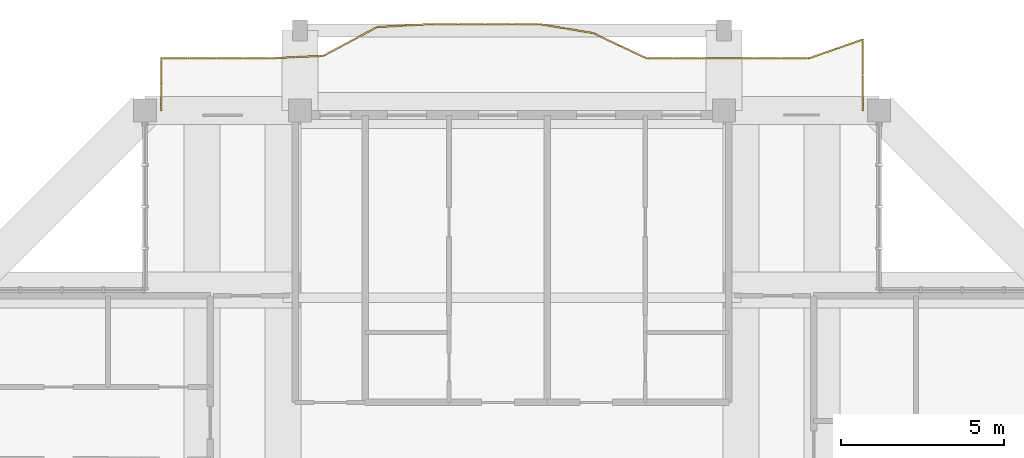
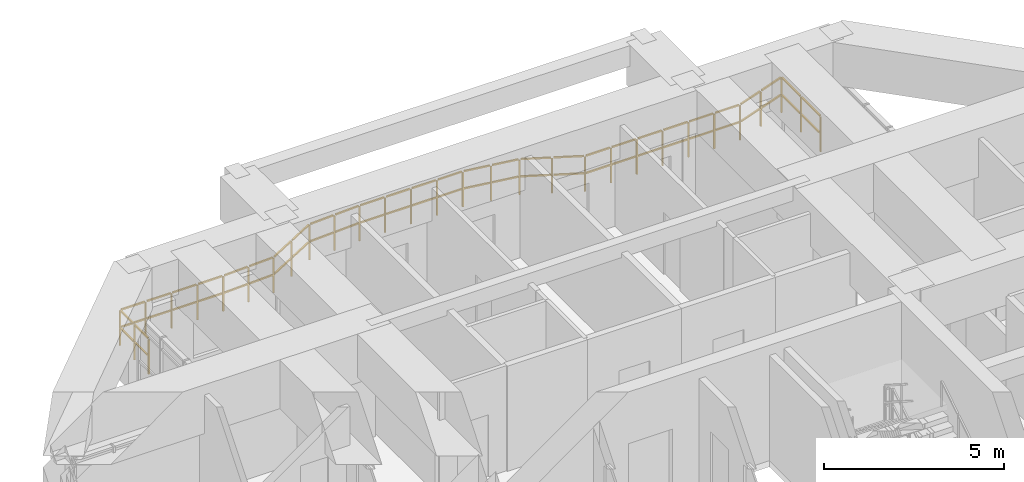
# One storey, part 27 of 27: 1 railing.
"""IFC4 building model written with IfcOpenShell, lengths in metres."""

from ifc_helpers import new_model, si_unit, direction, frame, origin, origin_2d, place, context, subcontext, project, spatial, rectangle, extrude, material, type_object, element, save


model = new_model("IFC4")

# Units and contexts
model_context = context("Model", 3, precision=1e-05, world=origin(), true_north=direction((0.0, 1.0)))
body_context = subcontext(model_context, "Body", "Model", "MODEL_VIEW")
ifc_project = project(units=[si_unit("LENGTHUNIT", "METRE"), si_unit("AREAUNIT", "SQUARE_METRE"), si_unit("VOLUMEUNIT", "CUBIC_METRE"), si_unit("PLANEANGLEUNIT", "RADIAN"), si_unit("MASSUNIT", "GRAM", prefix="KILO")], contexts=[model_context])

# Site, building, storey
site_placement = place(None, origin())
site = spatial("IfcSite", under=ifc_project, at=site_placement, CompositionType="ELEMENT")
building_placement = place(site_placement, origin())
building = spatial("IfcBuilding", under=site, at=building_placement, Name="Saelheon Loggia Tower", CompositionType="ELEMENT")
storey_placement = place(building_placement, frame((0.0, 0.0, 236.10009765625)))
storey = spatial("IfcBuildingStorey", under=building, at=storey_placement, Name="L73", CompositionType="ELEMENT", Elevation=236.10009765625)

# Railing
ifc_material = material(Name="Architectural Precast Concrete and Laminated Glass Guard", Category="concrete")
railing_type = type_object("IfcRailingType", Name="Guard_Loggia_RL_LOG", PredefinedType="BALUSTRADE", material=ifc_material)
railing_placement = place(storey_placement, frame((48.75, 48.0, 0.0)))
element("IfcRailing", 1, at=railing_placement, inside=storey, type_object=railing_type, Name="L73 North Loggia Balustrade", PredefinedType="BALUSTRADE", context=body_context, shape_type="SweptSolid", body=[
    extrude(rectangle(XDim=0.048095703125, YDim=0.048095703125, at=origin_2d()), frame((0.0, 0.033203125, 1.19580078125), z_axis=(0.0, 1.0, 0.0), x_axis=(-1.0, 0.0, 0.0)), (0.0, 0.0, 1.0), 1.022216796875),
    extrude(rectangle(XDim=0.048095703125, YDim=0.048095703125, at=origin_2d()), frame((0.0, 0.033203125, 0.60986328125), z_axis=(0.0, 1.0, 0.0), x_axis=(-1.0, 0.0, 0.0)), (0.0, 0.0, 1.0), 1.022216796875),
    extrude(rectangle(XDim=0.048095703125, YDim=0.048095703125, at=origin_2d()), frame((0.0, 1.121826171875, 1.19580078125), z_axis=(0.0, 1.0, 0.0), x_axis=(-1.0, 0.0, 0.0)), (0.0, 0.0, 1.0), 1.022216796875),
    extrude(rectangle(XDim=0.048095703125, YDim=0.048095703125, at=origin_2d()), frame((0.0, 1.121826171875, 0.60986328125), z_axis=(0.0, 1.0, 0.0), x_axis=(-1.0, 0.0, 0.0)), (0.0, 0.0, 1.0), 1.022216796875),
    extrude(rectangle(XDim=0.048095703125, YDim=0.048095703125, at=origin_2d()), frame((-0.031494140625, 2.166259765625, 1.19580078125), z_axis=(-0.944157835561, -0.329493522773, 0.0), x_axis=(0.329493522773, -0.944157835561, 0.0)), (0.0, 0.0, 1.0), 0.809326171875),
    extrude(rectangle(XDim=0.048095703125, YDim=0.048095703125, at=origin_2d()), frame((-0.031494140625, 2.166259765625, 0.60986328125), z_axis=(-0.944157835561, -0.329493522773, 0.0), x_axis=(0.329493522773, -0.944157835561, 0.0)), (0.0, 0.0, 1.0), 0.809326171875),
    extrude(rectangle(XDim=0.048095703125, YDim=0.048095703125, at=origin_2d()), frame((-0.8583984375, 1.877685546875, 1.19580078125), z_axis=(-0.944157835561, -0.329493522773, 0.0), x_axis=(0.329493522773, -0.944157835561, 0.0)), (0.0, 0.0, 1.0), 0.809326171875),
    extrude(rectangle(XDim=0.048095703125, YDim=0.048095703125, at=origin_2d()), frame((-0.8583984375, 1.877685546875, 0.60986328125), z_axis=(-0.944157835561, -0.329493522773, 0.0), x_axis=(0.329493522773, -0.944157835561, 0.0)), (0.0, 0.0, 1.0), 0.809326171875),
    extrude(rectangle(XDim=0.048095703125, YDim=0.048095703125, at=origin_2d()), frame((-1.68701171875, 1.60009765625, 1.19580078125), z_axis=(-1.0, 0.0, 0.0), x_axis=(0.0, -1.0, 0.0)), (0.0, 0.0, 1.0), 0.760498046875),
    extrude(rectangle(XDim=0.048095703125, YDim=0.048095703125, at=origin_2d()), frame((-1.68701171875, 1.60009765625, 0.60986328125), z_axis=(-1.0, 0.0, 0.0), x_axis=(0.0, -1.0, 0.0)), (0.0, 0.0, 1.0), 0.760498046875),
    extrude(rectangle(XDim=0.048095703125, YDim=0.048095703125, at=origin_2d()), frame((-2.513916015625, 1.60009765625, 1.19580078125), z_axis=(-1.0, 0.0, 0.0), x_axis=(0.0, -1.0, 0.0)), (0.0, 0.0, 1.0), 0.760498046875),
    extrude(rectangle(XDim=0.048095703125, YDim=0.048095703125, at=origin_2d()), frame((-2.513916015625, 1.60009765625, 0.60986328125), z_axis=(-1.0, 0.0, 0.0), x_axis=(0.0, -1.0, 0.0)), (0.0, 0.0, 1.0), 0.760498046875),
    extrude(rectangle(XDim=0.048095703125, YDim=0.048095703125, at=origin_2d()), frame((-3.3408203125, 1.60009765625, 1.19580078125), z_axis=(-1.0, 0.0, 0.0), x_axis=(0.0, -1.0, 0.0)), (0.0, 0.0, 1.0), 0.760498046875),
    extrude(rectangle(XDim=0.048095703125, YDim=0.048095703125, at=origin_2d()), frame((-3.3408203125, 1.60009765625, 0.60986328125), z_axis=(-1.0, 0.0, 0.0), x_axis=(0.0, -1.0, 0.0)), (0.0, 0.0, 1.0), 0.760498046875),
    extrude(rectangle(XDim=0.048095703125, YDim=0.048095703125, at=origin_2d()), frame((-4.167724609375, 1.60009765625, 1.19580078125), z_axis=(-1.0, 0.0, 0.0), x_axis=(0.0, -1.0, 0.0)), (0.0, 0.0, 1.0), 0.760498046875),
    extrude(rectangle(XDim=0.048095703125, YDim=0.048095703125, at=origin_2d()), frame((-4.167724609375, 1.60009765625, 0.60986328125), z_axis=(-1.0, 0.0, 0.0), x_axis=(0.0, -1.0, 0.0)), (0.0, 0.0, 1.0), 0.760498046875),
    extrude(rectangle(XDim=0.048095703125, YDim=0.048095703125, at=origin_2d()), frame((-4.99462890625, 1.60009765625, 1.19580078125), z_axis=(-1.0, 0.0, 0.0), x_axis=(0.0, -1.0, 0.0)), (0.0, 0.0, 1.0), 0.760498046875),
    extrude(rectangle(XDim=0.048095703125, YDim=0.048095703125, at=origin_2d()), frame((-4.99462890625, 1.60009765625, 0.60986328125), z_axis=(-1.0, 0.0, 0.0), x_axis=(0.0, -1.0, 0.0)), (0.0, 0.0, 1.0), 0.760498046875),
    extrude(rectangle(XDim=0.048095703125, YDim=0.048095703125, at=origin_2d()), frame((-5.82177734375, 1.60009765625, 1.19580078125), z_axis=(-1.0, 0.0, 0.0), x_axis=(0.0, -1.0, 0.0)), (0.0, 0.0, 1.0), 0.760498046875),
    extrude(rectangle(XDim=0.048095703125, YDim=0.048095703125, at=origin_2d()), frame((-5.82177734375, 1.60009765625, 0.60986328125), z_axis=(-1.0, 0.0, 0.0), x_axis=(0.0, -1.0, 0.0)), (0.0, 0.0, 1.0), 0.760498046875),
    extrude(rectangle(XDim=0.048095703125, YDim=0.048095703125, at=origin_2d()), frame((-6.6455078125, 1.6142578125, 1.19580078125), z_axis=(-0.905115238817, 0.425166325644, 0.0), x_axis=(-0.425166325644, -0.905115238817, 0.0)), (0.0, 0.0, 1.0), 0.84716796875),
    extrude(rectangle(XDim=0.048095703125, YDim=0.048095703125, at=origin_2d()), frame((-6.6455078125, 1.6142578125, 0.60986328125), z_axis=(-0.905115238817, 0.425166325644, 0.0), x_axis=(-0.425166325644, -0.905115238817, 0.0)), (0.0, 0.0, 1.0), 0.84716796875),
    extrude(rectangle(XDim=0.048095703125, YDim=0.048095703125, at=origin_2d()), frame((-7.472412109375, 2.002685546875, 1.19580078125), z_axis=(-0.905115238817, 0.425166325644, 0.0), x_axis=(-0.425166325644, -0.905115238817, 0.0)), (0.0, 0.0, 1.0), 0.84716796875),
    extrude(rectangle(XDim=0.048095703125, YDim=0.048095703125, at=origin_2d()), frame((-7.472412109375, 2.002685546875, 0.60986328125), z_axis=(-0.905115238817, 0.425166325644, 0.0), x_axis=(-0.425166325644, -0.905115238817, 0.0)), (0.0, 0.0, 1.0), 0.84716796875),
    extrude(rectangle(XDim=0.048095703125, YDim=0.048095703125, at=origin_2d()), frame((-8.302001953125, 2.38232421875, 1.19580078125), z_axis=(-0.986652505237, 0.162839902695, 0.0), x_axis=(-0.162839902695, -0.986652505237, 0.0)), (0.0, 0.0, 1.0), 0.771728515625),
    extrude(rectangle(XDim=0.048095703125, YDim=0.048095703125, at=origin_2d()), frame((-8.302001953125, 2.38232421875, 0.60986328125), z_axis=(-0.986652505237, 0.162839902695, 0.0), x_axis=(-0.162839902695, -0.986652505237, 0.0)), (0.0, 0.0, 1.0), 0.771728515625),
    extrude(rectangle(XDim=0.048095703125, YDim=0.048095703125, at=origin_2d()), frame((-9.12890625, 2.518798828125, 1.19580078125), z_axis=(-0.986652505237, 0.162839902695, 0.0), x_axis=(-0.162839902695, -0.986652505237, 0.0)), (0.0, 0.0, 1.0), 0.771728515625),
    extrude(rectangle(XDim=0.048095703125, YDim=0.048095703125, at=origin_2d()), frame((-9.12890625, 2.518798828125, 0.60986328125), z_axis=(-0.986652505237, 0.162839902695, 0.0), x_axis=(-0.162839902695, -0.986652505237, 0.0)), (0.0, 0.0, 1.0), 0.771728515625),
    extrude(rectangle(XDim=0.048095703125, YDim=0.048095703125, at=origin_2d()), frame((-9.956298828125, 2.64990234375, 1.19580078125), z_axis=(-1.0, 0.0, 0.0), x_axis=(0.0, -1.0, 0.0)), (0.0, 0.0, 1.0), 0.760498046875),
    extrude(rectangle(XDim=0.048095703125, YDim=0.048095703125, at=origin_2d()), frame((-9.956298828125, 2.64990234375, 0.60986328125), z_axis=(-1.0, 0.0, 0.0), x_axis=(0.0, -1.0, 0.0)), (0.0, 0.0, 1.0), 0.760498046875),
    extrude(rectangle(XDim=0.048095703125, YDim=0.048095703125, at=origin_2d()), frame((-10.783203125, 2.64990234375, 1.19580078125), z_axis=(-1.0, 0.0, 0.0), x_axis=(0.0, -1.0, 0.0)), (0.0, 0.0, 1.0), 0.760498046875),
    extrude(rectangle(XDim=0.048095703125, YDim=0.048095703125, at=origin_2d()), frame((-10.783203125, 2.64990234375, 0.60986328125), z_axis=(-1.0, 0.0, 0.0), x_axis=(0.0, -1.0, 0.0)), (0.0, 0.0, 1.0), 0.760498046875),
    extrude(rectangle(XDim=0.048095703125, YDim=0.048095703125, at=origin_2d()), frame((-11.610107421875, 2.64990234375, 1.19580078125), z_axis=(-1.0, 0.0, 0.0), x_axis=(0.0, -1.0, 0.0)), (0.0, 0.0, 1.0), 0.760498046875),
    extrude(rectangle(XDim=0.048095703125, YDim=0.048095703125, at=origin_2d()), frame((-11.610107421875, 2.64990234375, 0.60986328125), z_axis=(-1.0, 0.0, 0.0), x_axis=(0.0, -1.0, 0.0)), (0.0, 0.0, 1.0), 0.760498046875),
    extrude(rectangle(XDim=0.048095703125, YDim=0.048095703125, at=origin_2d()), frame((-12.43701171875, 2.64990234375, 1.19580078125), z_axis=(-1.0, 0.0, 0.0), x_axis=(0.0, -1.0, 0.0)), (0.0, 0.0, 1.0), 0.760498046875),
    extrude(rectangle(XDim=0.048095703125, YDim=0.048095703125, at=origin_2d()), frame((-12.43701171875, 2.64990234375, 0.60986328125), z_axis=(-1.0, 0.0, 0.0), x_axis=(0.0, -1.0, 0.0)), (0.0, 0.0, 1.0), 0.760498046875),
    extrude(rectangle(XDim=0.048095703125, YDim=0.048095703125, at=origin_2d()), frame((-13.263916015625, 2.648193359375, 1.19580078125), z_axis=(-0.99851162408, -0.05453931221, 0.0), x_axis=(0.05453931221, -0.99851162408, 0.0)), (0.0, 0.0, 1.0), 0.76171875),
    extrude(rectangle(XDim=0.048095703125, YDim=0.048095703125, at=origin_2d()), frame((-13.263916015625, 2.648193359375, 0.60986328125), z_axis=(-0.99851162408, -0.05453931221, 0.0), x_axis=(0.05453931221, -0.99851162408, 0.0)), (0.0, 0.0, 1.0), 0.76171875),
    extrude(rectangle(XDim=0.048095703125, YDim=0.048095703125, at=origin_2d()), frame((-14.0908203125, 2.60302734375, 1.19580078125), z_axis=(-0.99851162408, -0.05453931221, 0.0), x_axis=(0.05453931221, -0.99851162408, 0.0)), (0.0, 0.0, 1.0), 0.76171875),
    extrude(rectangle(XDim=0.048095703125, YDim=0.048095703125, at=origin_2d()), frame((-14.0908203125, 2.60302734375, 0.60986328125), z_axis=(-0.99851162408, -0.05453931221, 0.0), x_axis=(0.05453931221, -0.99851162408, 0.0)), (0.0, 0.0, 1.0), 0.76171875),
    extrude(rectangle(XDim=0.048095703125, YDim=0.048095703125, at=origin_2d()), frame((-14.913818359375, 2.5439453125, 1.19580078125), z_axis=(-0.882316888407, -0.470655828001, 0.0), x_axis=(0.470655828001, -0.882316888407, 0.0)), (0.0, 0.0, 1.0), 0.870849609375),
    extrude(rectangle(XDim=0.048095703125, YDim=0.048095703125, at=origin_2d()), frame((-14.913818359375, 2.5439453125, 0.60986328125), z_axis=(-0.882316888407, -0.470655828001, 0.0), x_axis=(0.470655828001, -0.882316888407, 0.0)), (0.0, 0.0, 1.0), 0.870849609375),
    extrude(rectangle(XDim=0.048095703125, YDim=0.048095703125, at=origin_2d()), frame((-15.740966796875, 2.102783203125, 1.19580078125), z_axis=(-0.882316888407, -0.470655828001, 0.0), x_axis=(0.470655828001, -0.882316888407, 0.0)), (0.0, 0.0, 1.0), 0.870849609375),
    extrude(rectangle(XDim=0.048095703125, YDim=0.048095703125, at=origin_2d()), frame((-15.740966796875, 2.102783203125, 0.60986328125), z_axis=(-0.882316888407, -0.470655828001, 0.0), x_axis=(0.470655828001, -0.882316888407, 0.0)), (0.0, 0.0, 1.0), 0.870849609375),
    extrude(rectangle(XDim=0.048095703125, YDim=0.048095703125, at=origin_2d()), frame((-16.57177734375, 1.67578125, 1.19580078125), z_axis=(-0.99891371025, -0.046598277597, 0.0), x_axis=(0.046598277597, -0.99891371025, 0.0)), (0.0, 0.0, 1.0), 0.76123046875),
    extrude(rectangle(XDim=0.048095703125, YDim=0.048095703125, at=origin_2d()), frame((-16.57177734375, 1.67578125, 0.60986328125), z_axis=(-0.99891371025, -0.046598277597, 0.0), x_axis=(0.046598277597, -0.99891371025, 0.0)), (0.0, 0.0, 1.0), 0.76123046875),
    extrude(rectangle(XDim=0.048095703125, YDim=0.048095703125, at=origin_2d()), frame((-17.398681640625, 1.63720703125, 1.19580078125), z_axis=(-0.99891371025, -0.046598277597, 0.0), x_axis=(0.046598277597, -0.99891371025, 0.0)), (0.0, 0.0, 1.0), 0.76123046875),
    extrude(rectangle(XDim=0.048095703125, YDim=0.048095703125, at=origin_2d()), frame((-17.398681640625, 1.63720703125, 0.60986328125), z_axis=(-0.99891371025, -0.046598277597, 0.0), x_axis=(0.046598277597, -0.99891371025, 0.0)), (0.0, 0.0, 1.0), 0.76123046875),
    extrude(rectangle(XDim=0.048095703125, YDim=0.048095703125, at=origin_2d()), frame((-18.2255859375, 1.60009765625, 1.19580078125), z_axis=(-1.0, 0.0, 0.0), x_axis=(0.0, -1.0, 0.0)), (0.0, 0.0, 1.0), 0.760498046875),
    extrude(rectangle(XDim=0.048095703125, YDim=0.048095703125, at=origin_2d()), frame((-18.2255859375, 1.60009765625, 0.60986328125), z_axis=(-1.0, 0.0, 0.0), x_axis=(0.0, -1.0, 0.0)), (0.0, 0.0, 1.0), 0.760498046875),
    extrude(rectangle(XDim=0.048095703125, YDim=0.048095703125, at=origin_2d()), frame((-19.052490234375, 1.60009765625, 1.19580078125), z_axis=(-1.0, 0.0, 0.0), x_axis=(0.0, -1.0, 0.0)), (0.0, 0.0, 1.0), 0.760498046875),
    extrude(rectangle(XDim=0.048095703125, YDim=0.048095703125, at=origin_2d()), frame((-19.052490234375, 1.60009765625, 0.60986328125), z_axis=(-1.0, 0.0, 0.0), x_axis=(0.0, -1.0, 0.0)), (0.0, 0.0, 1.0), 0.760498046875),
    extrude(rectangle(XDim=0.048095703125, YDim=0.048095703125, at=origin_2d()), frame((-19.87939453125, 1.60009765625, 1.19580078125), z_axis=(-1.0, 0.0, 0.0), x_axis=(0.0, -1.0, 0.0)), (0.0, 0.0, 1.0), 0.760498046875),
    extrude(rectangle(XDim=0.048095703125, YDim=0.048095703125, at=origin_2d()), frame((-19.87939453125, 1.60009765625, 0.60986328125), z_axis=(-1.0, 0.0, 0.0), x_axis=(0.0, -1.0, 0.0)), (0.0, 0.0, 1.0), 0.760498046875),
    extrude(rectangle(XDim=0.048095703125, YDim=0.048095703125, at=origin_2d()), frame((-20.706298828125, 1.60009765625, 1.19580078125), z_axis=(-1.0, 0.0, 0.0), x_axis=(0.0, -1.0, 0.0)), (0.0, 0.0, 1.0), 0.760498046875),
    extrude(rectangle(XDim=0.048095703125, YDim=0.048095703125, at=origin_2d()), frame((-20.706298828125, 1.60009765625, 0.60986328125), z_axis=(-1.0, 0.0, 0.0), x_axis=(0.0, -1.0, 0.0)), (0.0, 0.0, 1.0), 0.760498046875),
    extrude(rectangle(XDim=0.048095703125, YDim=0.048095703125, at=origin_2d()), frame((-21.5, 1.56689453125, 1.19580078125), z_axis=(0.0, -1.0, 0.0), x_axis=(1.0, 0.0, 0.0)), (0.0, 0.0, 1.0), 0.733642578125),
    extrude(rectangle(XDim=0.048095703125, YDim=0.048095703125, at=origin_2d()), frame((-21.5, 1.56689453125, 0.60986328125), z_axis=(0.0, -1.0, 0.0), x_axis=(1.0, 0.0, 0.0)), (0.0, 0.0, 1.0), 0.733642578125),
    extrude(rectangle(XDim=0.048095703125, YDim=0.048095703125, at=origin_2d()), frame((-21.5, 0.766845703125, 1.19580078125), z_axis=(0.0, -1.0, 0.0), x_axis=(1.0, 0.0, 0.0)), (0.0, 0.0, 1.0), 0.733642578125),
    extrude(rectangle(XDim=0.048095703125, YDim=0.048095703125, at=origin_2d()), frame((-21.5, 0.766845703125, 0.60986328125), z_axis=(0.0, -1.0, 0.0), x_axis=(1.0, 0.0, 0.0)), (0.0, 0.0, 1.0), 0.733642578125),
    extrude(rectangle(XDim=0.0419921875, YDim=0.0419921875, at=origin_2d()), origin(), (0.0, 0.0, 1.0), 1.16796875),
    extrude(rectangle(XDim=0.0419921875, YDim=0.0419921875, at=origin_2d()), frame((0.0, 1.088623046875, 0.0)), (0.0, 0.0, 1.0), 1.16796875),
    extrude(rectangle(XDim=0.0419921875, YDim=0.0419921875, at=origin_2d()), frame((0.0, 2.17724609375, 0.0)), (0.0, 0.0, 1.0), 1.16796875),
    extrude(rectangle(XDim=0.0419921875, YDim=0.0419921875, at=origin_2d()), frame((-0.826904296875, 1.888671875, 0.0)), (0.0, 0.0, 1.0), 1.16796875),
    extrude(rectangle(XDim=0.0419921875, YDim=0.0419921875, at=origin_2d()), frame((-1.65380859375, 1.60009765625, 0.0)), (0.0, 0.0, 1.0), 1.16796875),
    extrude(rectangle(XDim=0.0419921875, YDim=0.0419921875, at=origin_2d()), frame((-2.480712890625, 1.60009765625, 0.0)), (0.0, 0.0, 1.0), 1.16796875),
    extrude(rectangle(XDim=0.0419921875, YDim=0.0419921875, at=origin_2d()), frame((-3.3076171875, 1.60009765625, 0.0)), (0.0, 0.0, 1.0), 1.16796875),
    extrude(rectangle(XDim=0.0419921875, YDim=0.0419921875, at=origin_2d()), frame((-4.134521484375, 1.60009765625, 0.0)), (0.0, 0.0, 1.0), 1.16796875),
    extrude(rectangle(XDim=0.0419921875, YDim=0.0419921875, at=origin_2d()), frame((-4.96142578125, 1.60009765625, 0.0)), (0.0, 0.0, 1.0), 1.16796875),
    extrude(rectangle(XDim=0.0419921875, YDim=0.0419921875, at=origin_2d()), frame((-5.78857421875, 1.60009765625, 0.0)), (0.0, 0.0, 1.0), 1.16796875),
    extrude(rectangle(XDim=0.0419921875, YDim=0.0419921875, at=origin_2d()), frame((-6.615478515625, 1.60009765625, 0.0)), (0.0, 0.0, 1.0), 1.16796875),
    extrude(rectangle(XDim=0.0419921875, YDim=0.0419921875, at=origin_2d()), frame((-7.4423828125, 1.988525390625, 0.0)), (0.0, 0.0, 1.0), 1.16796875),
    extrude(rectangle(XDim=0.0419921875, YDim=0.0419921875, at=origin_2d()), frame((-8.269287109375, 2.376953125, 0.0)), (0.0, 0.0, 1.0), 1.16796875),
    extrude(rectangle(XDim=0.0419921875, YDim=0.0419921875, at=origin_2d()), frame((-9.09619140625, 2.513427734375, 0.0)), (0.0, 0.0, 1.0), 1.16796875),
    extrude(rectangle(XDim=0.0419921875, YDim=0.0419921875, at=origin_2d()), frame((-9.923095703125, 2.64990234375, 0.0)), (0.0, 0.0, 1.0), 1.16796875),
    extrude(rectangle(XDim=0.0419921875, YDim=0.0419921875, at=origin_2d()), frame((-10.75, 2.64990234375, 0.0)), (0.0, 0.0, 1.0), 1.16796875),
    extrude(rectangle(XDim=0.0419921875, YDim=0.0419921875, at=origin_2d()), frame((-11.576904296875, 2.64990234375, 0.0)), (0.0, 0.0, 1.0), 1.16796875),
    extrude(rectangle(XDim=0.0419921875, YDim=0.0419921875, at=origin_2d()), frame((-12.40380859375, 2.64990234375, 0.0)), (0.0, 0.0, 1.0), 1.16796875),
    extrude(rectangle(XDim=0.0419921875, YDim=0.0419921875, at=origin_2d()), frame((-13.230712890625, 2.64990234375, 0.0)), (0.0, 0.0, 1.0), 1.16796875),
    extrude(rectangle(XDim=0.0419921875, YDim=0.0419921875, at=origin_2d()), frame((-14.0576171875, 2.604736328125, 0.0)), (0.0, 0.0, 1.0), 1.16796875),
    extrude(rectangle(XDim=0.0419921875, YDim=0.0419921875, at=origin_2d()), frame((-14.884521484375, 2.5595703125, 0.0)), (0.0, 0.0, 1.0), 1.16796875),
    extrude(rectangle(XDim=0.0419921875, YDim=0.0419921875, at=origin_2d()), frame((-15.71142578125, 2.118408203125, 0.0)), (0.0, 0.0, 1.0), 1.16796875),
    extrude(rectangle(XDim=0.0419921875, YDim=0.0419921875, at=origin_2d()), frame((-16.53857421875, 1.67724609375, 0.0)), (0.0, 0.0, 1.0), 1.16796875),
    extrude(rectangle(XDim=0.0419921875, YDim=0.0419921875, at=origin_2d()), frame((-17.365478515625, 1.638671875, 0.0)), (0.0, 0.0, 1.0), 1.16796875),
    extrude(rectangle(XDim=0.0419921875, YDim=0.0419921875, at=origin_2d()), frame((-18.1923828125, 1.60009765625, 0.0)), (0.0, 0.0, 1.0), 1.16796875),
    extrude(rectangle(XDim=0.0419921875, YDim=0.0419921875, at=origin_2d()), frame((-19.019287109375, 1.60009765625, 0.0)), (0.0, 0.0, 1.0), 1.16796875),
    extrude(rectangle(XDim=0.0419921875, YDim=0.0419921875, at=origin_2d()), frame((-19.84619140625, 1.60009765625, 0.0)), (0.0, 0.0, 1.0), 1.16796875),
    extrude(rectangle(XDim=0.0419921875, YDim=0.0419921875, at=origin_2d()), frame((-20.673095703125, 1.60009765625, 0.0)), (0.0, 0.0, 1.0), 1.16796875),
    extrude(rectangle(XDim=0.0419921875, YDim=0.0419921875, at=origin_2d()), frame((-21.5, 1.60009765625, 0.0)), (0.0, 0.0, 1.0), 1.16796875),
    extrude(rectangle(XDim=0.0419921875, YDim=0.0419921875, at=origin_2d()), frame((-21.5, 0.800048828125, 0.0)), (0.0, 0.0, 1.0), 1.16796875),
    extrude(rectangle(XDim=0.0419921875, YDim=0.0419921875, at=origin_2d()), frame((-21.5, 0.0, 0.0)), (0.0, 0.0, 1.0), 1.16796875),
])

save(model, "model.ifc")
